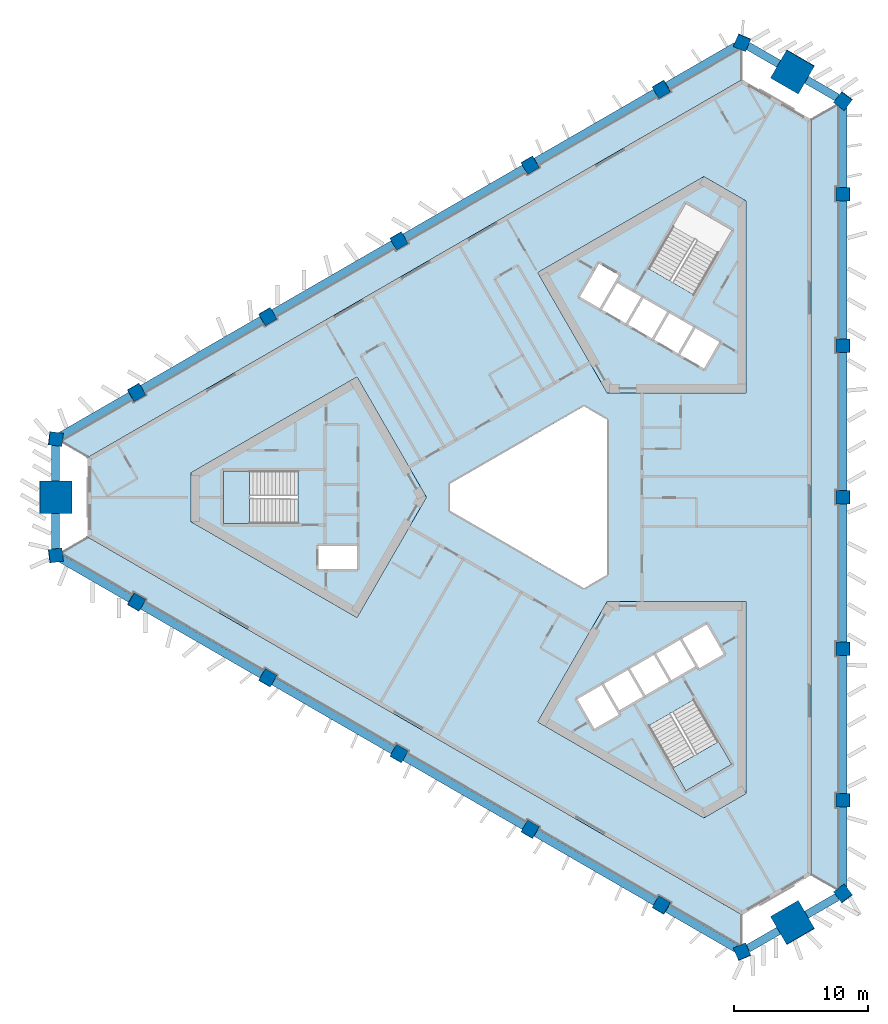
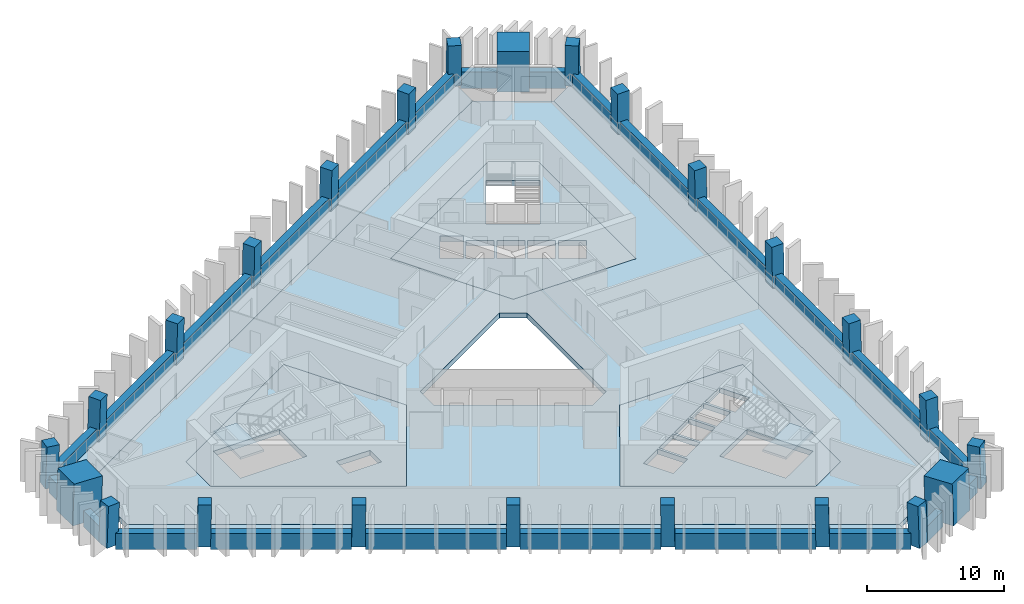
# One storey, part 1 of 10: 24 beams, 24 columns, 9 slabs, 2 elements without a shape of their own.
"""IFC4 building model written with IfcOpenShell, lengths in metres."""

import ifcopenshell
import ifcopenshell.guid

model = None  # the IFC model being written
_history = None  # IfcOwnerHistory: only IFC2X3 demands one
_inside = {}  # id of a spatial element -> (the spatial element, [elements in it])
_under = {}  # id of a project, library or spatial element -> (it, [spatial elements below it])
_declared = {}  # id of a project -> (the project, [libraries it declares])
_typed = {}  # id of a type object -> (the type object, [elements of that type])
_made_of = {}  # id of a material, layer set ... -> (it, [elements and type objects made of it])


def new_model(schema):
    """Start an empty IFC model of exactly this schema.

    Asked for "IFC4X3", IfcOpenShell would pick the latest addendum, in which some entities
    have other attributes; the version numbers below select the first issue.
    IFC2X3 requires an IfcOwnerHistory on every rooted entity: one is made here for all.
    """
    global model, _history
    if schema == "IFC4X3":
        model = ifcopenshell.file(schema_version=(4, 3, 0, 0))
    else:
        model = ifcopenshell.file(schema=schema)
    _inside.clear()
    _under.clear()
    _declared.clear()
    _typed.clear()
    _made_of.clear()
    _history = None
    if model.schema == "IFC2X3":
        org = make("IfcOrganization", Name="unknown")
        user = make(
            "IfcPersonAndOrganization",
            ThePerson=make("IfcPerson", FamilyName="unknown"),
            TheOrganization=org,
        )
        app = make(
            "IfcApplication",
            ApplicationDeveloper=org,
            Version="unknown",
            ApplicationFullName="unknown",
            ApplicationIdentifier="unknown",
        )
        _history = make(
            "IfcOwnerHistory",
            OwningUser=user,
            OwningApplication=app,
            ChangeAction="ADDED",
            CreationDate=0,
        )
    return model


def make(cls, **values):
    """One entity of the class cls with the attributes given. An attribute that is None is left unset."""
    return model.create_entity(
        cls, **{name: value for name, value in values.items() if value is not None}
    )


def rooted(cls, **values):
    """An entity with a GlobalId (a new one), such as an element, a storey or a relation."""
    return make(cls, GlobalId=ifcopenshell.guid.new(), OwnerHistory=_history, **values)


def si_unit(unit_type, name, prefix=None):
    """IfcSIUnit, for example si_unit("LENGTHUNIT", "METRE", prefix="MILLI")."""
    return make("IfcSIUnit", UnitType=unit_type, Prefix=prefix, Name=name)


def assignment(units):
    """IfcUnitAssignment: the units of a project."""
    return None if units is None else make("IfcUnitAssignment", Units=units)


def point(xyz):
    """IfcCartesianPoint."""
    return None if xyz is None else make("IfcCartesianPoint", Coordinates=xyz)


def direction(xyz):
    """IfcDirection."""
    return None if xyz is None else make("IfcDirection", DirectionRatios=xyz)


def frame(location, z_axis=None, x_axis=None):
    """IfcAxis2Placement3D, a coordinate frame: its origin and axes. An axis left out is left unset."""
    return make(
        "IfcAxis2Placement3D",
        Location=point(location),
        Axis=direction(z_axis),
        RefDirection=direction(x_axis),
    )


def frame_2d(location, x_axis=None):
    """IfcAxis2Placement2D, a coordinate frame in the plane: its origin and x axis."""
    return make(
        "IfcAxis2Placement2D", Location=point(location), RefDirection=direction(x_axis)
    )


def origin():
    """The frame at (0, 0, 0) with its axes left unset."""
    return frame((0.0, 0.0, 0.0))


def origin_2d():
    """The frame at (0, 0) in the plane with its x axis left unset."""
    return frame_2d((0.0, 0.0))


def place(relative_to, where):
    """IfcLocalPlacement: puts the frame where relative to a parent placement (None: the world)."""
    return make(
        "IfcLocalPlacement", PlacementRelTo=relative_to, RelativePlacement=where
    )


def context(
    kind, dimensions, precision=None, world=None, true_north=None, identifier=None
):
    """IfcGeometricRepresentationContext, for example the 3D "Model" context."""
    return make(
        "IfcGeometricRepresentationContext",
        ContextIdentifier=identifier,
        ContextType=kind,
        CoordinateSpaceDimension=dimensions,
        Precision=precision,
        WorldCoordinateSystem=world,
        TrueNorth=true_north,
    )


def subcontext(parent, identifier, kind, view, scale=None):
    """IfcGeometricRepresentationSubContext, for example "Body" below "Model"."""
    return make(
        "IfcGeometricRepresentationSubContext",
        ContextIdentifier=identifier,
        ContextType=kind,
        ParentContext=parent,
        TargetScale=scale,
        TargetView=view,
    )


def project(units=None, contexts=None):
    """IfcProject with its units and contexts."""
    return rooted(
        "IfcProject",
        Name="project",
        RepresentationContexts=contexts,
        UnitsInContext=assignment(units),
    )


def spatial(cls, under=None, at=None, **own):
    """A site, building, storey or space (cls), placed at a placement, below another one or the project."""
    s = rooted(cls, ObjectPlacement=at, **own)
    if under is not None:
        _under.setdefault(under.id(), (under, []))[1].append(s)
    return s


def polyline(points):
    """IfcPolyline through the points."""
    return make("IfcPolyline", Points=[point(p) for p in points])


def profile(cls, at=None, kind="AREA", **sizes):
    """A parametric profile (cls). Its sizes go by their IFC names, for example OverallWidth=200.0."""
    return make(cls, ProfileType=kind, Position=at, **sizes)


def rectangle(**sizes):
    """IfcRectangleProfileDef."""
    return profile("IfcRectangleProfileDef", **sizes)


def outline(outer, holes=None, kind="AREA"):
    """IfcArbitraryClosedProfileDef: a profile drawn as a closed curve; with holes, ...WithVoids."""
    if holes is None:
        return make("IfcArbitraryClosedProfileDef", ProfileType=kind, OuterCurve=outer)
    return make(
        "IfcArbitraryProfileDefWithVoids",
        ProfileType=kind,
        OuterCurve=outer,
        InnerCurves=holes,
    )


def extrude(swept, where, along, depth):
    """IfcExtrudedAreaSolid: the profile swept, set in the frame where, extruded along a direction by depth."""
    return make(
        "IfcExtrudedAreaSolid",
        SweptArea=swept,
        Position=where,
        ExtrudedDirection=direction(along),
        Depth=depth,
    )


def shape(context_of_items, identifier, shape_type, items):
    """IfcShapeRepresentation: the items that make up one representation, for example the "Body"."""
    return make(
        "IfcShapeRepresentation",
        ContextOfItems=context_of_items,
        RepresentationIdentifier=identifier,
        RepresentationType=shape_type,
        Items=items,
    )


def material(Name=None, Category=None):
    """IfcMaterial."""
    return make("IfcMaterial", Name=Name, Category=Category)


def layer(
    of_material, thickness, ventilated=None, Name=None, Category=None, Priority=None
):
    """IfcMaterialLayer: one layer of a wall or slab, of a material (None: an air gap)."""
    return make(
        "IfcMaterialLayer",
        Material=of_material,
        LayerThickness=thickness,
        IsVentilated=ventilated,
        Name=Name,
        Category=Category,
        Priority=Priority,
    )


def layer_set(layers, Name=None):
    """IfcMaterialLayerSet."""
    return make("IfcMaterialLayerSet", MaterialLayers=layers, LayerSetName=Name)


def material_profile(
    of_material, cross_section, Name=None, Category=None, Priority=None
):
    """IfcMaterialProfile: a cross section and its material."""
    return make(
        "IfcMaterialProfile",
        Name=Name,
        Material=of_material,
        Profile=cross_section,
        Priority=Priority,
        Category=Category,
    )


def profile_set(profiles, Name=None, composite=None):
    """IfcMaterialProfileSet."""
    return make(
        "IfcMaterialProfileSet",
        Name=Name,
        MaterialProfiles=profiles,
        CompositeProfile=composite,
    )


def made_of(thing, what):
    """Note that an element or type object is made of a material, layer set ...; save() writes the relation."""
    if what is not None:
        _made_of.setdefault(what.id(), (what, []))[1].append(thing)
    return thing


def type_object(cls, material=None, **own):
    """A type object (cls), such as IfcWallType, which elements share."""
    return made_of(rooted(cls, **own), material)


def element(
    cls,
    number,
    at=None,
    inside=None,
    cuts=None,
    type_object=None,
    material=None,
    context=None,
    identifier="Body",
    shape_type=None,
    held_by="IfcProductDefinitionShape",
    body=None,
    shapes=None,
    **own,
):
    """One element of the class cls, such as IfcWall. Its Tag is "e" and its number.

    at: its placement. inside: the storey or other place that contains it. cuts: it is an
    opening in that element (IfcRelVoidsElement). A single representation is given by context,
    identifier, shape_type and body (its items); several are given by shapes. held_by: the class
    of the entity that holds the representations. save() writes the other relations.
    """
    e = rooted(cls, Tag="e%d" % number, ObjectPlacement=at, **own)
    if body is not None:
        shapes = [shape(context, identifier, shape_type, body)]
    if shapes is not None:
        e.Representation = make(held_by, Representations=shapes)
    if inside is not None:
        _inside.setdefault(inside.id(), (inside, []))[1].append(e)
    if cuts is not None:
        rooted(
            "IfcRelVoidsElement", RelatingBuildingElement=cuts, RelatedOpeningElement=e
        )
    if type_object is not None:
        _typed.setdefault(type_object.id(), (type_object, []))[1].append(e)
    return made_of(e, material)


def aggregate(whole, parts):
    """IfcRelAggregates: a whole, such as a stair, and the parts it consists of."""
    return rooted("IfcRelAggregates", RelatingObject=whole, RelatedObjects=parts)


def save(model, path):
    """Write the relations noted so far, then the file.

    IfcRelAggregates (storeys below a building ...), IfcRelContainedInSpatialStructure (elements
    in a storey), IfcRelDefinesByType, IfcRelAssociatesMaterial and IfcRelDeclares: one each for
    every whole, place, type object, material and project.
    """
    for whole, parts in _under.values():
        aggregate(whole, parts)
    for where, things in _inside.values():
        rooted(
            "IfcRelContainedInSpatialStructure",
            RelatedElements=things,
            RelatingStructure=where,
        )
    for kind, things in _typed.values():
        rooted("IfcRelDefinesByType", RelatedObjects=things, RelatingType=kind)
    for what, things in _made_of.values():
        rooted("IfcRelAssociatesMaterial", RelatedObjects=things, RelatingMaterial=what)
    for by, libraries in _declared.values():
        rooted("IfcRelDeclares", RelatingContext=by, RelatedDefinitions=libraries)
    model.write(path)


model = new_model("IFC4")

# Units and contexts
model_context = context("Model", 3, precision=1e-05, world=origin(), true_north=direction((0.0, 1.0)))
body_context = subcontext(model_context, "Body", "Model", "MODEL_VIEW")
ifc_project = project(units=[si_unit("LENGTHUNIT", "METRE"), si_unit("AREAUNIT", "SQUARE_METRE"), si_unit("VOLUMEUNIT", "CUBIC_METRE"), si_unit("PLANEANGLEUNIT", "RADIAN"), si_unit("MASSUNIT", "GRAM", prefix="KILO")], contexts=[model_context])

# Site, building, storey
site_placement = place(None, origin())
site = spatial("IfcSite", under=ifc_project, at=site_placement, CompositionType="ELEMENT")
building_placement = place(site_placement, origin())
building = spatial("IfcBuilding", under=site, at=building_placement, Name="Jabali Bay Hotel Tower and Convention Centre", CompositionType="ELEMENT")
storey_placement = place(building_placement, frame((0.0, 0.0, 125.300048828125)))
storey = spatial("IfcBuildingStorey", under=building, at=storey_placement, Name="L30", CompositionType="ELEMENT", Elevation=125.300048828125)

# Columns
ifc_material_1 = material(Name="Concrete C60", Category="concrete")
ifc_material_profile_1 = material_profile(ifc_material_1, rectangle(XDim=1.0, YDim=1.0, at=origin_2d()), Name="Frame column 1000")
ifc_profile_set_1 = profile_set([ifc_material_profile_1], Name="Concrete C60")
column_type_1 = type_object("IfcColumnType", Name="Frame column 1000", PredefinedType="COLUMN", material=ifc_profile_set_1)
column_1_placement = place(storey_placement, frame((83.55029296875, 110.4853515625, 0.0), z_axis=(-0.00837646992, -0.028097450282, 0.999570091609), x_axis=(0.86617163682, 0.499292783589, 0.021293469065)))
element("IfcColumn", 1, at=column_1_placement, inside=storey, type_object=column_type_1, Name="FC3 F1.1 L30", PredefinedType="COLUMN", context=body_context, shape_type="SweptSolid", body=[
    extrude(rectangle(XDim=1.0, YDim=1.0, at=origin_2d()), origin(), (0.0, 0.0, 1.0), 3.70166015625),
])
column_2_placement = place(storey_placement, frame((73.74365234375, 104.823486328125, 0.0), z_axis=(0.000857578916, -0.022824792675, 0.999739112668), x_axis=(0.866060219769, 0.499825848733, 0.01066848966)))
element("IfcColumn", 2, at=column_2_placement, inside=storey, type_object=column_type_1, Name="FC3 F1.2 L30", PredefinedType="COLUMN", context=body_context, shape_type="SweptSolid", body=[
    extrude(rectangle(XDim=1.0, YDim=1.0, at=origin_2d()), origin(), (0.0, 0.0, 1.0), 3.700927734375),
])
column_3_placement = place(storey_placement, frame((63.93701171875, 99.16162109375, 0.0), z_axis=(0.010093620709, -0.017482414954, 0.999796221231), x_axis=(-0.499897086036, 0.865849517735, 0.020187025824)))
element("IfcColumn", 3, at=column_3_placement, inside=storey, type_object=column_type_1, Name="FC3 F1.3 L30", PredefinedType="COLUMN", context=body_context, shape_type="SweptSolid", body=[
    extrude(rectangle(XDim=1.0, YDim=1.0, at=origin_2d()), origin(), (0.0, 0.0, 1.0), 3.70068359375),
])
column_4_placement = place(storey_placement, frame((54.13037109375, 93.499755859375, 0.0), z_axis=(0.019328516974, -0.012138044789, 0.999739504221), x_axis=(-0.500205614953, 0.865671455024, 0.020181048691)))
element("IfcColumn", 4, at=column_4_placement, inside=storey, type_object=column_type_1, Name="FC3 F1.4 L30", PredefinedType="COLUMN", context=body_context, shape_type="SweptSolid", body=[
    extrude(rectangle(XDim=1.0, YDim=1.0, at=origin_2d()), origin(), (0.0, 0.0, 1.0), 3.700927734375),
])
for number, where, z_axis, x_axis, name in (
    (5, (44.32373046875, 87.837890625, 0.0), (0.02855911485, -0.006793507689, 0.999569019734), (-0.500405785832, 0.865555785013, 0.020180003373), "FC3 F1.5 L30"),
    (6, (44.32373046875, 72.162109375, 0.0), (0.02855911485, 0.006793507689, 0.999569019734), (-0.865319840559, 0.500766443848, 0.021319996519), "FC3 F2.1 L30"),
):
    element("IfcColumn", number, at=place(storey_placement, frame(where, z_axis=z_axis, x_axis=x_axis)), inside=storey, type_object=column_type_1, Name=name, PredefinedType="COLUMN", context=body_context, shape_type="SweptSolid", body=[
        extrude(rectangle(XDim=1.0, YDim=1.0, at=origin_2d()), origin(), (0.0, 0.0, 1.0), 3.70166015625),
    ])
column_5_placement = place(storey_placement, frame((54.13037109375, 66.500244140625, 0.0), z_axis=(0.019328516974, 0.012138044789, 0.999739504221), x_axis=(-0.865690909737, 0.500465383244, 0.010660627254)))
element("IfcColumn", 7, at=column_5_placement, inside=storey, type_object=column_type_1, Name="FC3 F2.2 L30", PredefinedType="COLUMN", context=body_context, shape_type="SweptSolid", body=[
    extrude(rectangle(XDim=1.0, YDim=1.0, at=origin_2d()), origin(), (0.0, 0.0, 1.0), 3.700927734375),
])
column_6_placement = place(storey_placement, frame((63.93701171875, 60.83837890625, 0.0), z_axis=(0.010093620709, 0.017482414954, 0.999796221231), x_axis=(-0.866025993948, 0.499998977805, 1.48331e-07)))
element("IfcColumn", 8, at=column_6_placement, inside=storey, type_object=column_type_1, Name="FC3 F2.3 L30", PredefinedType="COLUMN", context=body_context, shape_type="SweptSolid", body=[
    extrude(rectangle(XDim=1.0, YDim=1.0, at=origin_2d()), origin(), (0.0, 0.0, 1.0), 3.70068359375),
])
column_7_placement = place(storey_placement, frame((73.74365234375, 55.176513671875, 0.0), z_axis=(0.000857578916, 0.022824792675, 0.999739112668), x_axis=(-0.499938956565, -0.865825126557, 0.020196285069)))
element("IfcColumn", 9, at=column_7_placement, inside=storey, type_object=column_type_1, Name="FC3 F2.4 L30", PredefinedType="COLUMN", context=body_context, shape_type="SweptSolid", body=[
    extrude(rectangle(XDim=1.0, YDim=1.0, at=origin_2d()), origin(), (0.0, 0.0, 1.0), 3.700927734375),
])
for number, where, z_axis, x_axis, name in (
    (10, (83.55029296875, 49.5146484375, 0.0), (-0.00837646992, 0.028097450282, 0.999570091609), (-0.49967642562, -0.865977626468, 0.020154903518), "FC3 F2.5 L30"),
    (11, (97.1259765625, 57.3525390625, 0.0), (-0.020182659751, 0.021303918626, 0.999569308901), (0.000228267203, -0.99977282903, 0.021312865295), "FC3 F0.1 L30"),
):
    element("IfcColumn", number, at=place(storey_placement, frame(where, z_axis=z_axis, x_axis=x_axis)), inside=storey, type_object=column_type_1, Name=name, PredefinedType="COLUMN", context=body_context, shape_type="SweptSolid", body=[
        extrude(rectangle(XDim=1.0, YDim=1.0, at=origin_2d()), origin(), (0.0, 0.0, 1.0), 3.70166015625),
    ])
column_8_placement = place(storey_placement, frame((97.1259765625, 68.67626953125, 0.0), z_axis=(-0.020186088539, 0.010686752756, 0.999739123544), x_axis=(-0.001023376713, -0.999942568771, 0.010668264128)))
element("IfcColumn", 12, at=column_8_placement, inside=storey, type_object=column_type_1, Name="FC3 F0.2 L30", PredefinedType="COLUMN", context=body_context, shape_type="SweptSolid", body=[
    extrude(rectangle(XDim=1.0, YDim=1.0, at=origin_2d()), origin(), (0.0, 0.0, 1.0), 3.700927734375),
])
column_9_placement = place(storey_placement, frame((97.1259765625, 80.0, 0.0), z_axis=(-0.020187241331, 0.0, 0.99979621688), x_axis=(0.0, -1.0, 0.0)))
element("IfcColumn", 13, at=column_9_placement, inside=storey, type_object=column_type_1, Name="FC3 F0.3 L30", PredefinedType="COLUMN", context=body_context, shape_type="SweptSolid", body=[
    extrude(rectangle(XDim=1.0, YDim=1.0, at=origin_2d()), origin(), (0.0, 0.0, 1.0), 3.70068359375),
])
column_10_placement = place(storey_placement, frame((97.1259765625, 91.32373046875, 0.0), z_axis=(-0.020186088539, -0.010686752756, 0.999739123544), x_axis=(0.999795716399, 0.000807759214, 0.020195865801)))
element("IfcColumn", 14, at=column_10_placement, inside=storey, type_object=column_type_1, Name="FC3 F0.4 L30", PredefinedType="COLUMN", context=body_context, shape_type="SweptSolid", body=[
    extrude(rectangle(XDim=1.0, YDim=1.0, at=origin_2d()), origin(), (0.0, 0.0, 1.0), 3.700927734375),
])
column_11_placement = place(storey_placement, frame((97.1259765625, 102.6474609375, 0.0), z_axis=(-0.020182659751, -0.021303918626, 0.999569308901), x_axis=(0.999796283319, -0.000658319199, 0.020173211851)))
element("IfcColumn", 15, at=column_11_placement, inside=storey, type_object=column_type_1, Name="FC3 F0.5 L30", PredefinedType="COLUMN", context=body_context, shape_type="SweptSolid", body=[
    extrude(rectangle(XDim=1.0, YDim=1.0, at=origin_2d()), origin(), (0.0, 0.0, 1.0), 3.70166015625),
])
for number, where, z_axis, x_axis, name in (
    (16, (97.1259765625, 50.381103515625, 0.0), (-0.020178741915, 0.029015184452, 0.999375273581), (-0.801250629814, -0.598327673375, 0.001193103501), "FC3 V0 L30"),
    (17, (97.1259765625, 109.618896484375, 0.0), (-0.020178741915, -0.029015184452, 0.999375273581), (0.597988500388, 0.80072599205, 0.035321934518), "FC3 V1 L30"),
    (18, (89.587646484375, 113.97119140625, 0.0), (-0.014969213121, -0.031982680017, 0.999376320931), (0.91949088504, -0.393109515556, 0.001192102663), "FC3 V2 L30"),
    (19, (38.286376953125, 84.352294921875, 0.0), (0.035148025093, -0.002967469286, 0.999377711608), (-0.992426877739, 0.117669541247, 0.035252963061), "FC3 V3 L30"),
    (20, (38.286376953125, 75.647705078125, 0.0), (0.035148025093, 0.002967469286, 0.999377711608), (-0.117700928942, 0.993048374043, 0.001190855711), "FC3 V4 L30"),
    (21, (89.587646484375, 46.02880859375, 0.0), (-0.014969213121, 0.031982680017, 0.999376320931), (0.392826214741, -0.918935262659, 0.035292322873), "FC3 V5 L30"),
):
    element("IfcColumn", number, at=place(storey_placement, frame(where, z_axis=z_axis, x_axis=x_axis)), inside=storey, type_object=column_type_1, Name=name, PredefinedType="COLUMN", context=body_context, shape_type="SweptSolid", body=[
        extrude(rectangle(XDim=1.0, YDim=1.0, at=origin_2d()), origin(), (0.0, 0.0, 1.0), 3.7021484375),
    ])
ifc_material_2 = material(Name="Concrete C70", Category="concrete")
ifc_material_profile_2 = material_profile(ifc_material_2, rectangle(XDim=2.39990234375, YDim=2.39990234375, at=origin_2d()), Name="Mega column 2400")
ifc_profile_set_2 = profile_set([ifc_material_profile_2], Name="Concrete C70")
column_type_2 = type_object("IfcColumnType", Name="Mega column 2400", PredefinedType="COLUMN", material=ifc_profile_set_2)
for number, where, z_axis, x_axis, name in (
    (22, (93.35693359375, 111.794921875, 0.0), (-0.017607037296, -0.030466109479, 0.999380712447), (0.86581098392, -0.500371202332, 2.457e-09), "MC3 M1 L30"),
    (23, (38.286376953125, 80.0, 0.0), (0.035148179849, 0.0, 0.999382111834), (0.0, 1.0, 0.0), "MC3 M0 L30"),
    (24, (93.35693359375, 48.205078125, 0.0), (-0.017607037296, 0.030466109479, 0.999380712447), (0.500061328599, -0.865274797998, 0.035187946645), "MC3 M2 L30"),
):
    element("IfcColumn", number, at=place(storey_placement, frame(where, z_axis=z_axis, x_axis=x_axis)), inside=storey, type_object=column_type_2, Name=name, PredefinedType="COLUMN", context=body_context, shape_type="SweptSolid", body=[
        extrude(rectangle(XDim=2.39990234375, YDim=2.39990234375, at=origin_2d()), origin(), (0.0, 0.0, 1.0), 3.7021484375),
    ])

# Beams
ifc_material_profile_3 = material_profile(ifc_material_1, rectangle(XDim=0.60009765625, YDim=1.449951171875, at=origin_2d()), Name="Spandrel 600x1450")
ifc_profile_set_3 = profile_set([ifc_material_profile_3], Name="Concrete C60")
beam_type = type_object("IfcBeamType", Name="Spandrel 600x1450", PredefinedType="SPANDREL", material=ifc_profile_set_3)
beam_1_placement = place(storey_placement, frame((92.31103515625, 112.383544921875, 0.375), z_axis=(-0.866001554487, 0.500041305919, 0.0), x_axis=(-0.500041305919, -0.866001554487, 0.0)))
element("IfcBeam", 25, at=beam_1_placement, inside=storey, type_object=beam_type, Name="Spandrel M1-V2 L30", PredefinedType="SPANDREL", context=body_context, shape_type="SweptSolid", body=[
    extrude(rectangle(XDim=0.60009765625, YDim=1.449951171875, at=origin_2d()), origin(), (0.0, 0.0, 1.0), 2.651123046875),
])
beam_2_placement = place(storey_placement, frame((89.149169921875, 113.709228515625, 0.375), z_axis=(-0.866019379875, -0.500010433572, 0.0), x_axis=(0.500010433572, -0.866019379875, 0.0)))
element("IfcBeam", 26, at=beam_2_placement, inside=storey, type_object=beam_type, Name="Spandrel V2-F1.1 L30", PredefinedType="SPANDREL", context=body_context, shape_type="SweptSolid", body=[
    extrude(rectangle(XDim=0.60009765625, YDim=1.449951171875, at=origin_2d()), origin(), (0.0, 0.0, 1.0), 5.968505859375),
])
beam_3_placement = place(storey_placement, frame((83.114013671875, 110.224853515625, 0.375), z_axis=(-0.866020117278, -0.500009156386, 0.0), x_axis=(0.500009156386, -0.866020117278, 0.0)))
element("IfcBeam", 27, at=beam_3_placement, inside=storey, type_object=beam_type, Name="Spandrel F1.1-F1.2 L30", PredefinedType="SPANDREL", context=body_context, shape_type="SweptSolid", body=[
    extrude(rectangle(XDim=0.60009765625, YDim=1.449951171875, at=origin_2d()), origin(), (0.0, 0.0, 1.0), 10.319580078125),
])
for number, where, z_axis, x_axis, name in (
    (28, (73.31103515625, 104.56494140625, 0.375), (-0.866026031781, -0.499998912276, 0.0), (0.499998912276, -0.866026031781, 0.0), "Spandrel F1.2-F1.3 L30"),
    (29, (63.5078125, 98.905029296875, 0.375), (-0.866036275656, -0.499981168894, 0.0), (0.499981168894, -0.866036275656, 0.0), "Spandrel F1.3-F1.4 L30"),
):
    element("IfcBeam", number, at=place(storey_placement, frame(where, z_axis=z_axis, x_axis=x_axis)), inside=storey, type_object=beam_type, Name=name, PredefinedType="SPANDREL", context=body_context, shape_type="SweptSolid", body=[
        extrude(rectangle(XDim=0.60009765625, YDim=1.449951171875, at=origin_2d()), origin(), (0.0, 0.0, 1.0), 10.31982421875),
    ])
beam_4_placement = place(storey_placement, frame((53.70458984375, 93.245361328125, 0.375), z_axis=(-0.866020117278, -0.500009156386, 0.0), x_axis=(0.500009156386, -0.866020117278, 0.0)))
element("IfcBeam", 30, at=beam_4_placement, inside=storey, type_object=beam_type, Name="Spandrel F1.4-F1.5 L30", PredefinedType="SPANDREL", context=body_context, shape_type="SweptSolid", body=[
    extrude(rectangle(XDim=0.60009765625, YDim=1.449951171875, at=origin_2d()), origin(), (0.0, 0.0, 1.0), 10.319580078125),
])
beam_5_placement = place(storey_placement, frame((43.9013671875, 87.58544921875, 0.375), z_axis=(-0.866019379875, -0.500010433572, 0.0), x_axis=(0.500010433572, -0.866019379875, 0.0)))
element("IfcBeam", 31, at=beam_5_placement, inside=storey, type_object=beam_type, Name="Spandrel F1.5-V3 L30", PredefinedType="SPANDREL", context=body_context, shape_type="SweptSolid", body=[
    extrude(rectangle(XDim=0.60009765625, YDim=1.449951171875, at=origin_2d()), origin(), (0.0, 0.0, 1.0), 5.968505859375),
])
for number, where, z_axis, x_axis, name in (
    (32, (38.299560546875, 83.85107421875, 0.375), (0.0, -1.0, 0.0), (1.0, 0.0, 0.0), "Spandrel V3-M0 L30"),
    (33, (38.299560546875, 78.800048828125, 0.375), (0.0, -1.0, 0.0), (1.0, 0.0, 0.0), "Spandrel M0-V4 L30"),
):
    element("IfcBeam", number, at=place(storey_placement, frame(where, z_axis=z_axis, x_axis=x_axis)), inside=storey, type_object=beam_type, Name=name, PredefinedType="SPANDREL", context=body_context, shape_type="SweptSolid", body=[
        extrude(rectangle(XDim=0.60009765625, YDim=1.449951171875, at=origin_2d()), origin(), (0.0, 0.0, 1.0), 2.651123046875),
    ])
beam_6_placement = place(storey_placement, frame((38.732421875, 75.39892578125, 0.375), z_axis=(0.866019379875, -0.500010433572, 0.0), x_axis=(0.500010433572, 0.866019379875, 0.0)))
element("IfcBeam", 34, at=beam_6_placement, inside=storey, type_object=beam_type, Name="Spandrel V4-F2.1 L30", PredefinedType="SPANDREL", context=body_context, shape_type="SweptSolid", body=[
    extrude(rectangle(XDim=0.60009765625, YDim=1.449951171875, at=origin_2d()), origin(), (0.0, 0.0, 1.0), 5.968505859375),
])
beam_7_placement = place(storey_placement, frame((44.767578125, 71.91455078125, 0.375), z_axis=(0.866020117278, -0.500009156386, 0.0), x_axis=(0.500009156386, 0.866020117278, 0.0)))
element("IfcBeam", 35, at=beam_7_placement, inside=storey, type_object=beam_type, Name="Spandrel F2.1-F2.2 L30", PredefinedType="SPANDREL", context=body_context, shape_type="SweptSolid", body=[
    extrude(rectangle(XDim=0.60009765625, YDim=1.449951171875, at=origin_2d()), origin(), (0.0, 0.0, 1.0), 10.319580078125),
])
for number, where, z_axis, x_axis, name in (
    (36, (54.570556640625, 66.254638671875, 0.375), (0.866036275656, -0.499981168894, 0.0), (0.499981168894, 0.866036275656, 0.0), "Spandrel F2.2-F2.3 L30"),
    (37, (64.373779296875, 60.594970703125, 0.375), (0.866026031781, -0.499998912276, 0.0), (0.499998912276, 0.866026031781, 0.0), "Spandrel F2.3-F2.4 L30"),
):
    element("IfcBeam", number, at=place(storey_placement, frame(where, z_axis=z_axis, x_axis=x_axis)), inside=storey, type_object=beam_type, Name=name, PredefinedType="SPANDREL", context=body_context, shape_type="SweptSolid", body=[
        extrude(rectangle(XDim=0.60009765625, YDim=1.449951171875, at=origin_2d()), origin(), (0.0, 0.0, 1.0), 10.31982421875),
    ])
beam_8_placement = place(storey_placement, frame((74.177001953125, 54.93505859375, 0.375), z_axis=(0.866020117278, -0.500009156386, 0.0), x_axis=(0.500009156386, 0.866020117278, 0.0)))
element("IfcBeam", 38, at=beam_8_placement, inside=storey, type_object=beam_type, Name="Spandrel F2.4-F2.5 L30", PredefinedType="SPANDREL", context=body_context, shape_type="SweptSolid", body=[
    extrude(rectangle(XDim=0.60009765625, YDim=1.449951171875, at=origin_2d()), origin(), (0.0, 0.0, 1.0), 10.319580078125),
])
beam_9_placement = place(storey_placement, frame((83.980224609375, 49.275146484375, 0.375), z_axis=(0.866019379875, -0.500010433572, 0.0), x_axis=(0.500010433572, 0.866019379875, 0.0)))
element("IfcBeam", 39, at=beam_9_placement, inside=storey, type_object=beam_type, Name="Spandrel F2.5-V5 L30", PredefinedType="SPANDREL", context=body_context, shape_type="SweptSolid", body=[
    extrude(rectangle(XDim=0.60009765625, YDim=1.449951171875, at=origin_2d()), origin(), (0.0, 0.0, 1.0), 5.968505859375),
])
for number, where, z_axis, x_axis, name in (
    (40, (90.01513671875, 46.290771484375, 0.375), (0.866001554487, 0.500041305919, 0.0), (-0.500041305919, 0.866001554487, 0.0), "Spandrel V5-M2 L30"),
    (41, (94.389404296875, 48.81640625, 0.375), (0.866041431316, 0.499972238474, 0.0), (-0.499972238474, 0.866041431316, 0.0), "Spandrel M2-V0 L30"),
):
    element("IfcBeam", number, at=place(storey_placement, frame(where, z_axis=z_axis, x_axis=x_axis)), inside=storey, type_object=beam_type, Name=name, PredefinedType="SPANDREL", context=body_context, shape_type="SweptSolid", body=[
        extrude(rectangle(XDim=0.60009765625, YDim=1.449951171875, at=origin_2d()), origin(), (0.0, 0.0, 1.0), 2.651123046875),
    ])
beam_10_placement = place(storey_placement, frame((97.118408203125, 50.891845703125, 0.375), z_axis=(0.0, 1.0, 0.0), x_axis=(-1.0, 0.0, 0.0)))
element("IfcBeam", 42, at=beam_10_placement, inside=storey, type_object=beam_type, Name="Spandrel V0-F0.1 L30", PredefinedType="SPANDREL", context=body_context, shape_type="SweptSolid", body=[
    extrude(rectangle(XDim=0.60009765625, YDim=1.449951171875, at=origin_2d()), origin(), (0.0, 0.0, 1.0), 5.96875),
])
beam_11_placement = place(storey_placement, frame((97.118408203125, 57.860595703125, 0.375), z_axis=(0.0, 1.0, 0.0), x_axis=(-1.0, 0.0, 0.0)))
element("IfcBeam", 43, at=beam_11_placement, inside=storey, type_object=beam_type, Name="Spandrel F0.1-F0.2 L30", PredefinedType="SPANDREL", context=body_context, shape_type="SweptSolid", body=[
    extrude(rectangle(XDim=0.60009765625, YDim=1.449951171875, at=origin_2d()), origin(), (0.0, 0.0, 1.0), 10.319580078125),
])
for number, where, z_axis, x_axis, name in (
    (44, (97.118408203125, 69.18017578125, 0.375), (0.0, 1.0, 0.0), (-1.0, 0.0, 0.0), "Spandrel F0.2-F0.3 L30"),
    (45, (97.118408203125, 80.5, 0.375), (0.0, 1.0, 0.0), (-1.0, 0.0, 0.0), "Spandrel F0.3-F0.4 L30"),
):
    element("IfcBeam", number, at=place(storey_placement, frame(where, z_axis=z_axis, x_axis=x_axis)), inside=storey, type_object=beam_type, Name=name, PredefinedType="SPANDREL", context=body_context, shape_type="SweptSolid", body=[
        extrude(rectangle(XDim=0.60009765625, YDim=1.449951171875, at=origin_2d()), origin(), (0.0, 0.0, 1.0), 10.31982421875),
    ])
beam_12_placement = place(storey_placement, frame((97.118408203125, 91.81982421875, 0.375), z_axis=(0.0, 1.0, 0.0), x_axis=(-1.0, 0.0, 0.0)))
element("IfcBeam", 46, at=beam_12_placement, inside=storey, type_object=beam_type, Name="Spandrel F0.4-F0.5 L30", PredefinedType="SPANDREL", context=body_context, shape_type="SweptSolid", body=[
    extrude(rectangle(XDim=0.60009765625, YDim=1.449951171875, at=origin_2d()), origin(), (0.0, 0.0, 1.0), 10.319580078125),
])
beam_13_placement = place(storey_placement, frame((97.118408203125, 103.139404296875, 0.375), z_axis=(0.0, 1.0, 0.0), x_axis=(-1.0, 0.0, 0.0)))
element("IfcBeam", 47, at=beam_13_placement, inside=storey, type_object=beam_type, Name="Spandrel F0.5-V1 L30", PredefinedType="SPANDREL", context=body_context, shape_type="SweptSolid", body=[
    extrude(rectangle(XDim=0.60009765625, YDim=1.449951171875, at=origin_2d()), origin(), (0.0, 0.0, 1.0), 5.96875),
])
beam_14_placement = place(storey_placement, frame((96.685302734375, 109.858154296875, 0.375), z_axis=(-0.866041431316, 0.499972238474, 0.0), x_axis=(-0.499972238474, -0.866041431316, 0.0)))
element("IfcBeam", 48, at=beam_14_placement, inside=storey, type_object=beam_type, Name="Spandrel V1-M1 L30", PredefinedType="SPANDREL", context=body_context, shape_type="SweptSolid", body=[
    extrude(rectangle(XDim=0.60009765625, YDim=1.449951171875, at=origin_2d()), origin(), (0.0, 0.0, 1.0), 2.651123046875),
])

# Slabs
ifc_material_3 = material(Name="Concrete C40", Category="concrete")
ifc_layer_1 = layer(ifc_material_3, 0.449951171875)
ifc_layer_set_1 = layer_set([ifc_layer_1], Name="Concrete C40")
slab_type_1 = type_object("IfcSlabType", Name="Core floor slab 450", PredefinedType="FLOOR", material=ifc_layer_set_1)
slab_1_placement = place(storey_placement, frame((0.0, 0.0, -0.449951171875)))
element("IfcSlab", 49, at=slab_1_placement, inside=storey, type_object=slab_type_1, Name="Core floor slab 1 L30", PredefinedType="FLOOR", context=body_context, shape_type="SweptSolid", body=[
    extrude(outline(polyline([(66.0, 80.0), (60.81005859375, 88.9892578125), (48.39697265625, 81.82275390625), (48.39697265625, 78.17724609375), (60.81005859375, 71.0107421875), (66.0, 80.0)]), holes=[polyline([(60.800048828125, 76.35009765625), (57.949951171875, 76.35009765625), (57.949951171875, 74.64990234375), (60.800048828125, 74.64990234375), (60.800048828125, 76.35009765625)]), polyline([(50.820068359375, 81.97509765625), (50.820068359375, 78.02490234375), (56.409912109375, 78.02490234375), (56.409912109375, 81.97509765625), (50.820068359375, 81.97509765625)])]), origin(), (0.0, 0.0, 1.0), 0.449951171875),
])
slab_2_placement = place(storey_placement, frame((0.0, 0.0, -0.449951171875)))
element("IfcSlab", 50, at=slab_2_placement, inside=storey, type_object=slab_type_1, Name="Core floor slab 2 L30", PredefinedType="FLOOR", context=body_context, shape_type="SweptSolid", body=[
    extrude(outline(polyline([(79.5, 87.794189453125), (89.8798828125, 87.794189453125), (89.8798828125, 102.127685546875), (86.72314453125, 103.9501953125), (74.31005859375, 96.78369140625), (79.5, 87.794189453125)]), holes=[polyline([(84.957763671875, 90.6474609375), (86.733154296875, 89.62255859375), (87.873291015625, 91.59716796875), (86.097900390625, 92.6220703125), (84.957763671875, 90.6474609375)]), polyline([(84.1494140625, 93.7470703125), (83.00927734375, 91.7724609375), (84.78466796875, 90.74755859375), (85.924560546875, 92.72216796875), (84.1494140625, 93.7470703125)]), polyline([(82.20068359375, 94.8720703125), (81.060791015625, 92.8974609375), (82.836181640625, 91.87255859375), (83.97607421875, 93.84716796875), (82.20068359375, 94.8720703125)]), polyline([(79.1123046875, 94.0224609375), (80.887451171875, 92.99755859375), (82.027587890625, 94.97216796875), (80.252197265625, 95.9970703125), (79.1123046875, 94.0224609375)]), polyline([(78.891845703125, 97.440673828125), (77.466796875, 94.97265625), (78.93896484375, 94.12255859375), (80.364013671875, 96.5908203125), (78.891845703125, 97.440673828125)]), polyline([(82.584716796875, 97.0869140625), (86.00537109375, 95.11181640625), (88.80029296875, 99.952880859375), (85.379638671875, 101.927978515625), (82.584716796875, 97.0869140625)])]), origin(), (0.0, 0.0, 1.0), 0.449951171875),
])
slab_3_placement = place(storey_placement, frame((0.0, 0.0, -0.449951171875)))
element("IfcSlab", 51, at=slab_3_placement, inside=storey, type_object=slab_type_1, Name="Core floor slab 3 L30", PredefinedType="FLOOR", context=body_context, shape_type="SweptSolid", body=[
    extrude(outline(polyline([(79.5, 72.205810546875), (74.31005859375, 63.21630859375), (86.72314453125, 56.0498046875), (89.8798828125, 57.872314453125), (89.8798828125, 72.205810546875), (79.5, 72.205810546875)]), holes=[polyline([(82.584716796875, 62.9130859375), (85.379638671875, 58.072021484375), (88.80029296875, 60.047119140625), (86.00537109375, 64.88818359375), (82.584716796875, 62.9130859375)]), polyline([(80.365478515625, 63.756591796875), (79.090576171875, 65.96484375), (77.27197265625, 64.9150390625), (78.546875, 62.70654296875), (80.365478515625, 63.756591796875)]), polyline([(82.17919921875, 65.115478515625), (81.0390625, 67.08984375), (79.263671875, 66.06494140625), (80.40380859375, 64.09033203125), (82.17919921875, 65.115478515625)]), polyline([(82.98779296875, 68.21484375), (81.21240234375, 67.18994140625), (82.352294921875, 65.21533203125), (84.127685546875, 66.240478515625), (82.98779296875, 68.21484375)]), polyline([(86.076171875, 67.365478515625), (84.936279296875, 69.33984375), (83.160888671875, 68.31494140625), (84.30078125, 66.34033203125), (86.076171875, 67.365478515625)]), polyline([(88.203125, 68.281494140625), (86.927978515625, 70.489990234375), (85.109375, 69.43994140625), (86.384521484375, 67.231689453125), (88.203125, 68.281494140625)])]), origin(), (0.0, 0.0, 1.0), 0.449951171875),
])
ifc_layer_2 = layer(ifc_material_3, 0.199951171875)
ifc_layer_set_2 = layer_set([ifc_layer_2], Name="Concrete C40")
slab_type_2 = type_object("IfcSlabType", Name="Loggia slab 200", PredefinedType="FLOOR", material=ifc_layer_set_2)
slab_4_placement = place(storey_placement, frame((0.0, 0.0, -0.199951171875)))
element("IfcSlab", 52, at=slab_4_placement, inside=storey, type_object=slab_type_2, Name="Loggia slab east face L30", PredefinedType="FLOOR", context=body_context, shape_type="SweptSolid", body=[
    extrude(outline(polyline([(94.72607421875, 108.2333984375), (96.65478515625, 109.346923828125), (96.825927734375, 109.218994140625), (96.825927734375, 103.1474609375), (96.6259765625, 103.1474609375), (96.6259765625, 102.1474609375), (96.825927734375, 102.1474609375), (96.825927734375, 91.82373046875), (96.6259765625, 91.82373046875), (96.6259765625, 90.82373046875), (96.825927734375, 90.82373046875), (96.825927734375, 80.5), (96.6259765625, 80.5), (96.6259765625, 79.5), (96.825927734375, 79.5), (96.825927734375, 69.17626953125), (96.6259765625, 69.17626953125), (96.6259765625, 68.17626953125), (96.825927734375, 68.17626953125), (96.825927734375, 57.8525390625), (96.6259765625, 57.8525390625), (96.6259765625, 56.8525390625), (96.825927734375, 56.8525390625), (96.825927734375, 50.781005859375), (96.65478515625, 50.653076171875), (94.72607421875, 51.7666015625), (94.72607421875, 108.2333984375)])), origin(), (0.0, 0.0, 1.0), 0.199951171875),
])
slab_5_placement = place(storey_placement, frame((0.0, 0.0, -0.199951171875)))
element("IfcSlab", 53, at=slab_5_placement, inside=storey, type_object=slab_type_2, Name="Loggia slab north-west face L30", PredefinedType="FLOOR", context=body_context, shape_type="SweptSolid", body=[
    extrude(outline(polyline([(40.686279296875, 82.966552734375), (38.757568359375, 84.080078125), (38.78271484375, 84.29248046875), (44.040771484375, 87.328125), (44.140625, 87.155029296875), (45.0068359375, 87.655029296875), (44.90673828125, 87.828125), (53.847412109375, 92.989990234375), (53.947265625, 92.81689453125), (54.8134765625, 93.31689453125), (54.71337890625, 93.489990234375), (63.654052734375, 98.65185546875), (63.75390625, 98.478759765625), (64.6201171875, 98.978759765625), (64.52001953125, 99.15185546875), (73.460693359375, 104.313720703125), (73.560546875, 104.140625), (74.4267578125, 104.640625), (74.32666015625, 104.813720703125), (83.267333984375, 109.9755859375), (83.3671875, 109.802490234375), (84.233154296875, 110.302490234375), (84.13330078125, 110.4755859375), (89.391357421875, 113.51123046875), (89.587646484375, 113.427001953125), (89.587646484375, 111.199951171875), (40.686279296875, 82.966552734375)])), origin(), (0.0, 0.0, 1.0), 0.199951171875),
])
slab_6_placement = place(storey_placement, frame((0.0, 0.0, -0.199951171875)))
element("IfcSlab", 54, at=slab_6_placement, inside=storey, type_object=slab_type_2, Name="Loggia slab south-west face L30", PredefinedType="FLOOR", context=body_context, shape_type="SweptSolid", body=[
    extrude(outline(polyline([(89.587646484375, 48.800048828125), (89.587646484375, 46.572998046875), (89.391357421875, 46.48876953125), (84.13330078125, 49.5244140625), (84.233154296875, 49.697509765625), (83.3671875, 50.197509765625), (83.267333984375, 50.0244140625), (74.32666015625, 55.186279296875), (74.4267578125, 55.359375), (73.560546875, 55.859375), (73.460693359375, 55.686279296875), (64.52001953125, 60.84814453125), (64.6201171875, 61.021240234375), (63.75390625, 61.521240234375), (63.654052734375, 61.34814453125), (54.71337890625, 66.510009765625), (54.8134765625, 66.68310546875), (53.947265625, 67.18310546875), (53.847412109375, 67.010009765625), (44.90673828125, 72.171875), (45.0068359375, 72.344970703125), (44.140625, 72.844970703125), (44.040771484375, 72.671875), (38.78271484375, 75.70751953125), (38.757568359375, 75.919921875), (40.686279296875, 77.033447265625), (89.587646484375, 48.800048828125)])), origin(), (0.0, 0.0, 1.0), 0.199951171875),
])
ifc_layer_3 = layer(ifc_material_3, 0.449951171875)
ifc_layer_set_3 = layer_set([ifc_layer_3], Name="Concrete C40")
slab_type_3 = type_object("IfcSlabType", Name="Post-tensioned flat slab 450", PredefinedType="FLOOR", material=ifc_layer_set_3)
slab_7_placement = place(storey_placement, frame((0.0, 0.0, -0.449951171875)))
element("IfcSlab", 55, at=slab_7_placement, inside=storey, type_object=slab_type_3, Name="Floor slab L30", PredefinedType="FLOOR", context=body_context, shape_type="SweptSolid", body=[
    extrude(outline(polyline([(89.587646484375, 111.199951171875), (94.72607421875, 108.2333984375), (94.72607421875, 51.7666015625), (89.587646484375, 48.800048828125), (40.686279296875, 77.033447265625), (40.686279296875, 82.966552734375), (89.587646484375, 111.199951171875)]), holes=[polyline([(67.73193359375, 79.0), (77.76806640625, 73.205810546875), (79.5, 74.205810546875), (79.5, 85.794189453125), (77.76806640625, 86.794189453125), (67.73193359375, 81.0), (67.73193359375, 79.0)]), polyline([(48.39697265625, 78.17724609375), (60.81005859375, 71.0107421875), (66.0, 80.0), (60.81005859375, 88.9892578125), (48.39697265625, 81.82275390625), (48.39697265625, 78.17724609375)]), polyline([(89.8798828125, 102.127685546875), (86.72314453125, 103.9501953125), (74.31005859375, 96.78369140625), (79.5, 87.794189453125), (89.8798828125, 87.794189453125), (89.8798828125, 102.127685546875)]), polyline([(74.31005859375, 63.21630859375), (86.72314453125, 56.0498046875), (89.8798828125, 57.872314453125), (89.8798828125, 72.205810546875), (79.5, 72.205810546875), (74.31005859375, 63.21630859375)])]), origin(), (0.0, 0.0, 1.0), 0.449951171875),
])

# Stair, slab
stair_type = type_object("IfcStairType", Name="Exit stair 1900", PredefinedType="HALF_TURN_STAIR", material=ifc_material_3)
stair_1_placement = place(storey_placement, origin())
stair_1 = element("IfcStair", 56, at=stair_1_placement, inside=storey, type_object=stair_type, Name="L30 Exit Stair 1", PredefinedType="HALF_TURN_STAIR")
ifc_layer_4 = layer(ifc_material_3, 0.199951171875)
ifc_layer_set_4 = layer_set([ifc_layer_4], Name="Concrete C40")
slab_type_4 = type_object("IfcSlabType", Name="Stair landing 200", PredefinedType="LANDING", material=ifc_layer_set_4)
slab_8_placement = place(storey_placement, frame((0.0, 0.0, 1.64990234375)))
slab_8 = element("IfcSlab", 57, at=slab_8_placement, type_object=slab_type_4, Name="ST1 landing 1", PredefinedType="LANDING", context=body_context, shape_type="SweptSolid", body=[
    extrude(outline(polyline([(52.782958984375, 81.97509765625), (50.820068359375, 81.97509765625), (50.820068359375, 78.02490234375), (52.782958984375, 78.02490234375), (52.782958984375, 81.97509765625)])), origin(), (0.0, 0.0, 1.0), 0.199951171875),
])
aggregate(stair_1, [slab_8])

stair_2_placement = place(storey_placement, origin())
stair_2 = element("IfcStair", 58, at=stair_2_placement, inside=storey, type_object=stair_type, Name="L30 Exit Stair 3", PredefinedType="HALF_TURN_STAIR")
slab_9_placement = place(storey_placement, frame((0.0, 0.0, 1.64990234375)))
slab_9 = element("IfcSlab", 59, at=slab_9_placement, type_object=slab_type_4, Name="ST3 landing 1", PredefinedType="LANDING", context=body_context, shape_type="SweptSolid", body=[
    extrude(outline(polyline([(84.398193359375, 59.77197265625), (85.379638671875, 58.072021484375), (88.80029296875, 60.047119140625), (87.81884765625, 61.7470703125), (84.398193359375, 59.77197265625)])), origin(), (0.0, 0.0, 1.0), 0.199951171875),
])
aggregate(stair_2, [slab_9])

save(model, "model.ifc")
